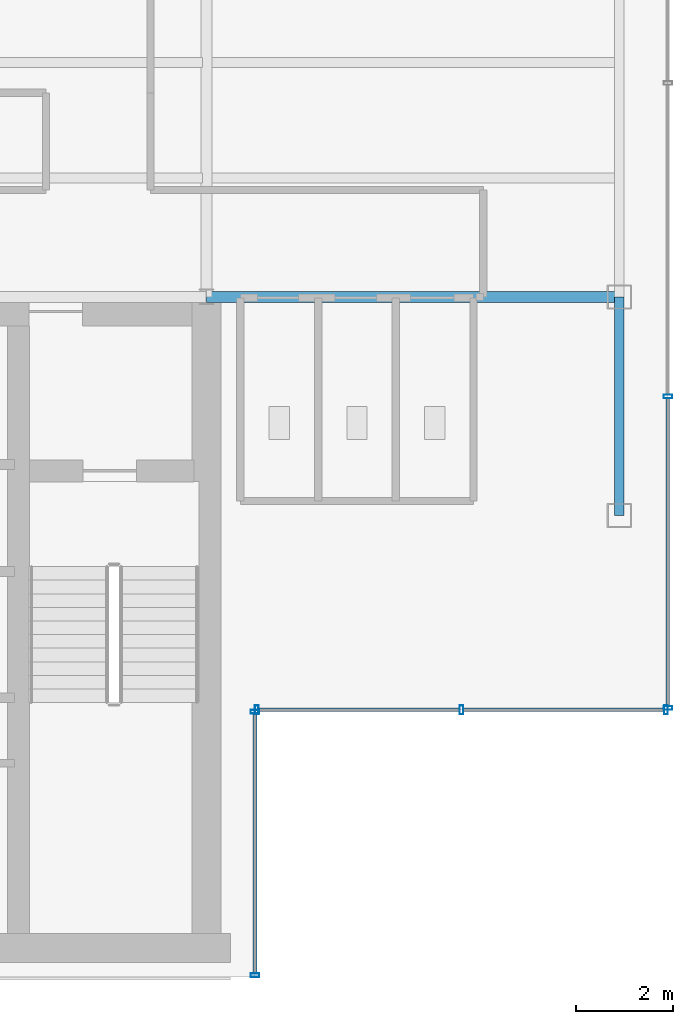
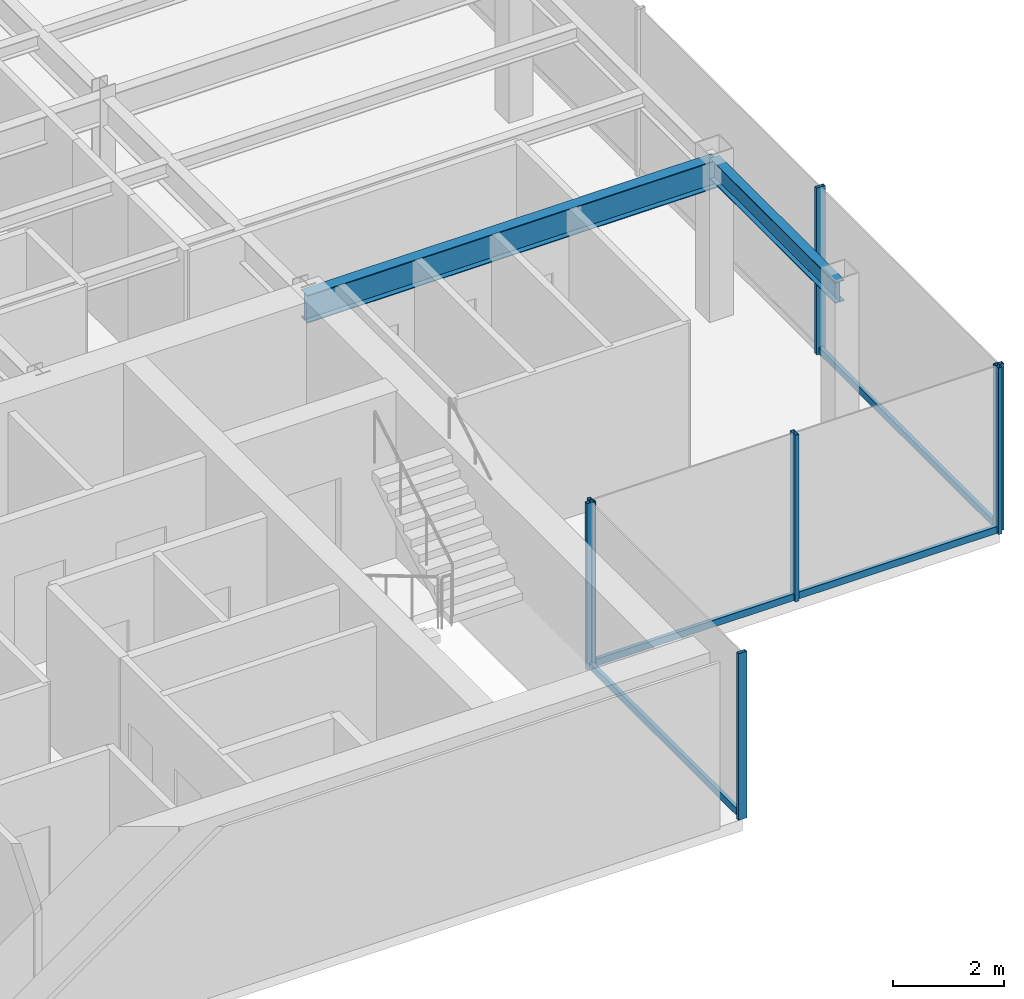
# One storey, part 9 of 22: 11 members, 2 beams, 3 elements without a shape of their own.
"""IFC4 building model written with IfcOpenShell, lengths in metres."""

from ifc_helpers import new_model, si_unit, derived_unit, direction, frame, origin, origin_2d, place, context, subcontext, project, spatial, hollow_rectangle, i_section, extrude, source, transform, mapped, material, material_profile, profile_set, type_object, element, aggregate, save


model = new_model("IFC4")

# Units and contexts
model_context = context("Model", 3, precision=1e-05, world=origin(), true_north=direction((0.0, 1.0)))
body_context = subcontext(model_context, "Body", "Model", "MODEL_VIEW")
ifc_project = project(units=[si_unit("LENGTHUNIT", "METRE"), si_unit("AREAUNIT", "SQUARE_METRE"), si_unit("VOLUMEUNIT", "CUBIC_METRE"), si_unit("PLANEANGLEUNIT", "RADIAN"), si_unit("MASSUNIT", "GRAM", prefix="KILO"), derived_unit("THERMALTRANSMITTANCEUNIT", [(si_unit("POWERUNIT", "WATT"), 1), (si_unit("LENGTHUNIT", "METRE"), -2), (si_unit("THERMODYNAMICTEMPERATUREUNIT", "KELVIN"), -1)])], contexts=[model_context])

# Site, building, storey
site_placement = place(None, origin())
site = spatial("IfcSite", under=ifc_project, at=site_placement, CompositionType="ELEMENT")
building_placement = place(site_placement, origin())
building = spatial("IfcBuilding", under=site, at=building_placement, Name="Skarnbrae Concourse Arena and Tower", CompositionType="ELEMENT")
storey_placement = place(building_placement, frame((0.0, 0.0, 262.449951171875)))
storey = spatial("IfcBuildingStorey", under=building, at=storey_placement, Name="L68", CompositionType="ELEMENT", Elevation=262.449951171875)

# Beams
ifc_material_1 = material(Name="Steel CSA G40.21 350W", Category="steel")
ifc_material_profile_1 = material_profile(ifc_material_1, i_section(OverallWidth=0.22802734375, OverallDepth=0.60791015625, WebThickness=0.01123046875, FlangeThickness=0.017333984375, at=origin_2d()), Name="W610X113")
ifc_profile_set_1 = profile_set([ifc_material_profile_1], Name="Steel CSA G40.21 350W")
beam_type_1 = type_object("IfcBeamType", Name="BM-GIRD-W610X113", PredefinedType="BEAM", material=ifc_profile_set_1)
shared_shape_1 = source(origin(), body_context, "Body", "SweptSolid", [
    extrude(i_section(OverallWidth=0.22802734375, OverallDepth=0.60791015625, WebThickness=0.01123046875, FlangeThickness=0.017333984375, at=origin_2d()), origin(), (0.0, 0.0, 1.0), 8.5),
])
beam_1_placement = place(storey_placement, frame((33.5, 14.0, 3.095947265625), z_axis=(1.0, 0.0, 0.0), x_axis=(0.0, 1.0, 0.0)))
element("IfcBeam", 1, at=beam_1_placement, inside=storey, type_object=beam_type_1, Name="L68 Primary E-W girder Y14.0-6", PredefinedType="BEAM", context=body_context, shape_type="MappedRepresentation", body=[
    mapped(shared_shape_1, transform((0.0, 0.0, 0.0))),
])
ifc_material_profile_2 = material_profile(ifc_material_1, i_section(OverallWidth=0.19091796875, OverallDepth=0.4599609375, WebThickness=0.010009765625, FlangeThickness=0.01611328125, at=origin_2d()), Name="W460X82")
ifc_profile_set_2 = profile_set([ifc_material_profile_2], Name="Steel CSA G40.21 350W")
beam_type_2 = type_object("IfcBeamType", Name="BM-SPAN-W460X82", PredefinedType="SPANDREL", material=ifc_profile_set_2)
shared_shape_2 = source(origin(), body_context, "Body", "SweptSolid", [
    extrude(i_section(OverallWidth=0.19091796875, OverallDepth=0.4599609375, WebThickness=0.010009765625, FlangeThickness=0.01611328125, at=origin_2d()), origin(), (0.0, 0.0, 1.0), 4.5),
])
beam_2_placement = place(storey_placement, frame((42.0, 9.5, 3.170166015625), z_axis=(0.0, 1.0, 0.0), x_axis=(-1.0, 0.0, 0.0)))
element("IfcBeam", 2, at=beam_2_placement, inside=storey, type_object=beam_type_2, Name="L68 Perimeter spandrel X42.0-1", PredefinedType="SPANDREL", context=body_context, shape_type="MappedRepresentation", body=[
    mapped(shared_shape_2, transform((0.0, 0.0, 0.0))),
])

# Curtain wall, member
ifc_material_2 = material(Name="Bronze anodised aluminium 6063-T6", Category="aluminium")
curtain_wall_type = type_object("IfcCurtainWallType", Name="CW-SYS-05-HIGHZONE", PredefinedType="USERDEFINED", material=ifc_material_2)
curtain_wall_1_placement = place(storey_placement, origin())
curtain_wall_1 = element("IfcCurtainWall", 3, at=curtain_wall_1_placement, inside=storey, type_object=curtain_wall_type, Name="L68 Unitised curtain wall CW-L68-E02", ObjectType="UNITISED CURTAIN WALL", PredefinedType="USERDEFINED")
ifc_material_profile_3 = material_profile(ifc_material_2, hollow_rectangle(XDim=0.074951171875, YDim=0.14990234375, WallThickness=0.00390625, at=origin_2d()), Name="ALU-TRAN-75X150")
ifc_profile_set_3 = profile_set([ifc_material_profile_3], Name="Bronze anodised aluminium 6063-T6")
member_type_1 = type_object("IfcMemberType", Name="CWT-CW-05", PredefinedType="USERDEFINED", material=ifc_profile_set_3)
shared_shape_3 = source(origin(), body_context, "Body", "SweptSolid", [
    extrude(hollow_rectangle(XDim=0.074951171875, YDim=0.14990234375, WallThickness=0.00390625, at=origin_2d()), origin(), (0.0, 0.0, 1.0), 5.35009765625),
])
member_1_placement = place(storey_placement, frame((34.5, 0.074951171875, 0.074951171875), z_axis=(0.0, 1.0, 0.0), x_axis=(-1.0, 0.0, 0.0)))
member_1 = element("IfcMember", 4, at=member_1_placement, type_object=member_type_1, Name="CW-L68-E02 Transom 1", ObjectType="TRANSOM", PredefinedType="USERDEFINED", context=body_context, shape_type="MappedRepresentation", body=[
    mapped(shared_shape_3, transform((0.0, 0.0, 0.0))),
])

# Curtain wall, members
curtain_wall_2_placement = place(storey_placement, origin())
curtain_wall_2 = element("IfcCurtainWall", 5, at=curtain_wall_2_placement, inside=storey, type_object=curtain_wall_type, Name="L68 Unitised curtain wall CW-L68-E03", ObjectType="UNITISED CURTAIN WALL", PredefinedType="USERDEFINED")
shared_shape_4 = source(origin(), body_context, "Body", "SweptSolid", [
    extrude(hollow_rectangle(XDim=0.074951171875, YDim=0.14990234375, WallThickness=0.00390625, at=origin_2d()), origin(), (0.0, 0.0, 1.0), 4.137451171875),
])
member_2_placement = place(storey_placement, frame((34.574951171875, 5.5, 0.074951171875), z_axis=(1.0, 0.0, 0.0), x_axis=(0.0, 1.0, 0.0)))
member_2 = element("IfcMember", 6, at=member_2_placement, type_object=member_type_1, Name="CW-L68-E03 Transom 1", ObjectType="TRANSOM", PredefinedType="USERDEFINED", context=body_context, shape_type="MappedRepresentation", body=[
    mapped(shared_shape_4, transform((0.0, 0.0, 0.0))),
])
member_3_placement = place(storey_placement, frame((38.78759765625, 5.5, 0.074951171875), z_axis=(1.0, 0.0, 0.0), x_axis=(0.0, 1.0, 0.0)))
member_3 = element("IfcMember", 7, at=member_3_placement, type_object=member_type_1, Name="CW-L68-E03 Transom 2", ObjectType="TRANSOM", PredefinedType="USERDEFINED", context=body_context, shape_type="MappedRepresentation", body=[
    mapped(shared_shape_4, transform((0.0, 0.0, 0.0))),
])

# Curtain wall, member
curtain_wall_3_placement = place(storey_placement, origin())
curtain_wall_3 = element("IfcCurtainWall", 8, at=curtain_wall_3_placement, inside=storey, type_object=curtain_wall_type, Name="L68 Unitised curtain wall CW-L68-E04", ObjectType="UNITISED CURTAIN WALL", PredefinedType="USERDEFINED")
shared_shape_5 = source(origin(), body_context, "Body", "SweptSolid", [
    extrude(hollow_rectangle(XDim=0.074951171875, YDim=0.14990234375, WallThickness=0.00390625, at=origin_2d()), origin(), (0.0, 0.0, 1.0), 6.337646484375),
])
member_4_placement = place(storey_placement, frame((43.0, 5.574951171875, 0.074951171875), z_axis=(0.0, 1.0, 0.0), x_axis=(-1.0, 0.0, 0.0)))
member_4 = element("IfcMember", 9, at=member_4_placement, type_object=member_type_1, Name="CW-L68-E04 Transom 1", ObjectType="TRANSOM", PredefinedType="USERDEFINED", context=body_context, shape_type="MappedRepresentation", body=[
    mapped(shared_shape_5, transform((0.0, 0.0, 0.0))),
])

# Member
ifc_material_profile_4 = material_profile(ifc_material_2, hollow_rectangle(XDim=0.074951171875, YDim=0.179931640625, WallThickness=0.00390625, at=origin_2d()), Name="ALU-MULL-75X180")
ifc_profile_set_4 = profile_set([ifc_material_profile_4], Name="Bronze anodised aluminium 6063-T6")
member_type_2 = type_object("IfcMemberType", Name="CWM-CW-05", PredefinedType="MULLION", material=ifc_profile_set_4)
shared_shape_6 = source(origin(), body_context, "Body", "SweptSolid", [
    extrude(hollow_rectangle(XDim=0.074951171875, YDim=0.179931640625, WallThickness=0.00390625, at=origin_2d()), origin(), (0.0, 0.0, 1.0), 3.650146484375),
])
member_5_placement = place(storey_placement, frame((34.5, 0.03759765625, 0.0), z_axis=(0.0, 0.0, 1.0), x_axis=(0.0, 1.0, 0.0)))
member_5 = element("IfcMember", 10, at=member_5_placement, type_object=member_type_2, Name="CW-L68-E02 Mullion 1", PredefinedType="MULLION", context=body_context, shape_type="MappedRepresentation", body=[
    mapped(shared_shape_6, transform((0.0, 0.0, 0.0))),
])

member_6_placement = place(storey_placement, frame((34.5, 5.46240234375, 0.0), z_axis=(0.0, 0.0, 1.0), x_axis=(0.0, 1.0, 0.0)))
member_6 = element("IfcMember", 11, at=member_6_placement, type_object=member_type_2, Name="CW-L68-E02 Mullion 2", PredefinedType="MULLION", context=body_context, shape_type="MappedRepresentation", body=[
    mapped(shared_shape_6, transform((0.0, 0.0, 0.0))),
])

aggregate(curtain_wall_1, [member_5, member_6, member_1])

member_7_placement = place(storey_placement, frame((34.53759765625, 5.5, 0.0), z_axis=(0.0, 0.0, 1.0), x_axis=(1.0, 0.0, 0.0)))
member_7 = element("IfcMember", 12, at=member_7_placement, type_object=member_type_2, Name="CW-L68-E03 Mullion 1", PredefinedType="MULLION", context=body_context, shape_type="MappedRepresentation", body=[
    mapped(shared_shape_6, transform((0.0, 0.0, 0.0))),
])

member_8_placement = place(storey_placement, frame((38.75, 5.5, 0.0), z_axis=(0.0, 0.0, 1.0), x_axis=(1.0, 0.0, 0.0)))
member_8 = element("IfcMember", 13, at=member_8_placement, type_object=member_type_2, Name="CW-L68-E03 Mullion 2", PredefinedType="MULLION", context=body_context, shape_type="MappedRepresentation", body=[
    mapped(shared_shape_6, transform((0.0, 0.0, 0.0))),
])

member_9_placement = place(storey_placement, frame((42.96240234375, 5.5, 0.0), z_axis=(0.0, 0.0, 1.0), x_axis=(1.0, 0.0, 0.0)))
member_9 = element("IfcMember", 14, at=member_9_placement, type_object=member_type_2, Name="CW-L68-E03 Mullion 3", PredefinedType="MULLION", context=body_context, shape_type="MappedRepresentation", body=[
    mapped(shared_shape_6, transform((0.0, 0.0, 0.0))),
])

aggregate(curtain_wall_2, [member_7, member_8, member_9, member_2, member_3])

member_10_placement = place(storey_placement, frame((43.0, 5.53759765625, 0.0), z_axis=(0.0, 0.0, 1.0), x_axis=(0.0, 1.0, 0.0)))
member_10 = element("IfcMember", 15, at=member_10_placement, type_object=member_type_2, Name="CW-L68-E04 Mullion 1", PredefinedType="MULLION", context=body_context, shape_type="MappedRepresentation", body=[
    mapped(shared_shape_6, transform((0.0, 0.0, 0.0))),
])

member_11_placement = place(storey_placement, frame((43.0, 11.949951171875, 0.0), z_axis=(0.0, 0.0, 1.0), x_axis=(0.0, 1.0, 0.0)))
member_11 = element("IfcMember", 16, at=member_11_placement, type_object=member_type_2, Name="CW-L68-E04 Mullion 2", PredefinedType="MULLION", context=body_context, shape_type="MappedRepresentation", body=[
    mapped(shared_shape_6, transform((0.0, 0.0, 0.0))),
])

aggregate(curtain_wall_3, [member_10, member_11, member_4])

save(model, "model.ifc")
